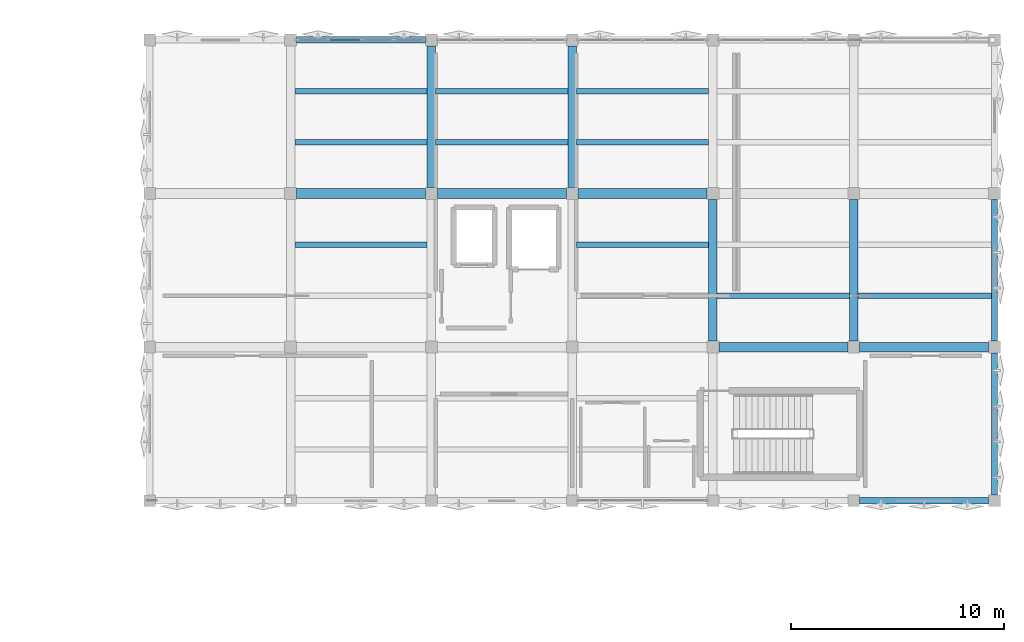
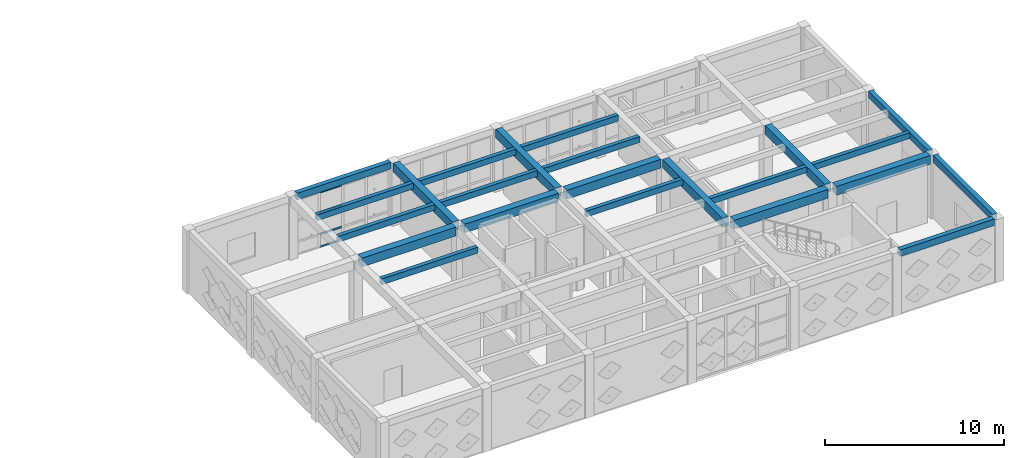
# One storey, part 15 of 36: 23 beams, 4 members, 1 element without a shape of its own.
"""IFC4 building model written with IfcOpenShell, lengths in metres."""

from ifc_helpers import new_model, si_unit, direction, frame, origin, origin_2d, place, context, subcontext, project, spatial, rectangle, hollow_rectangle, extrude, material, layer, layer_set, material_profile, profile_set, type_object, element, aggregate, save


model = new_model("IFC4")

# Units and contexts
model_context = context("Model", 3, precision=1e-05, world=origin(), true_north=direction((0.0, 1.0)))
body_context = subcontext(model_context, "Body", "Model", "MODEL_VIEW")
ifc_project = project(units=[si_unit("LENGTHUNIT", "METRE"), si_unit("AREAUNIT", "SQUARE_METRE"), si_unit("VOLUMEUNIT", "CUBIC_METRE"), si_unit("PLANEANGLEUNIT", "RADIAN"), si_unit("MASSUNIT", "GRAM", prefix="KILO")], contexts=[model_context])

# Site, building, storey
site_placement = place(None, origin())
site = spatial("IfcSite", under=ifc_project, at=site_placement, CompositionType="ELEMENT")
building_placement = place(site_placement, origin())
building = spatial("IfcBuilding", under=site, at=building_placement, Name="Kharisveld Research Institute", CompositionType="ELEMENT")
storey_placement = place(building_placement, frame((0.0, 0.0, 27.60009765625)))
storey = spatial("IfcBuildingStorey", under=building, at=storey_placement, Name="L06", CompositionType="ELEMENT", Elevation=27.60009765625)

# Beams
ifc_material_1 = material(Name="Concrete C40/50", Category="concrete")
ifc_material_profile_1 = material_profile(ifc_material_1, rectangle(XDim=0.39990234375, YDim=0.60009765625, at=origin_2d()))
ifc_profile_set_1 = profile_set([ifc_material_profile_1], Name="Concrete C40/50")
beam_type_1 = type_object("IfcBeamType", Name="BM_RC_400x600", PredefinedType="BEAM", material=ifc_profile_set_1)
for number, where, z_axis, x_axis, name in (
    (1, (134.39990234375, 53.875, 4.0), (0.0, 1.0, 0.0), (-1.0, 0.0, 0.0), "BM:V2:L06:V3_2"),
    (2, (141.0, 53.875, 4.0), (0.0, 1.0, 0.0), (-1.0, 0.0, 0.0), "BM:V2:L06:V4_2"),
    (3, (147.60009765625, 46.675048828125, 4.0), (0.0, 1.0, 0.0), (-1.0, 0.0, 0.0), "BM:V2:L06:V5_1"),
    (4, (154.199951171875, 46.675048828125, 4.0), (0.0, 1.0, 0.0), (-1.0, 0.0, 0.0), "BM:V2:L06:V6_1"),
):
    element("IfcBeam", number, at=place(storey_placement, frame(where, z_axis=z_axis, x_axis=x_axis)), inside=storey, type_object=beam_type_1, Name=name, PredefinedType="BEAM", context=body_context, shape_type="SweptSolid", body=[
        extrude(rectangle(XDim=0.39990234375, YDim=0.60009765625, at=origin_2d()), origin(), (0.0, 0.0, 1.0), 6.64990234375),
    ])
ifc_material_2 = material(Name="Concrete C40/50", Category="concrete")
ifc_material_profile_2 = material_profile(ifc_material_2, rectangle(XDim=0.449951171875, YDim=0.60009765625, at=origin_2d()))
ifc_profile_set_2 = profile_set([ifc_material_profile_2], Name="Concrete C40/50")
beam_type_2 = type_object("IfcBeamType", Name="BM_RC_450x600", PredefinedType="BEAM", material=ifc_profile_set_2)
beam_1_placement = place(storey_placement, frame((147.875, 46.39990234375, 4.0), z_axis=(1.0, 0.0, 0.0), x_axis=(0.0, 1.0, 0.0)))
element("IfcBeam", 5, at=beam_1_placement, inside=storey, type_object=beam_type_2, Name="BM:V2:L06:U5_1", PredefinedType="BEAM", context=body_context, shape_type="SweptSolid", body=[
    extrude(rectangle(XDim=0.449951171875, YDim=0.60009765625, at=origin_2d()), origin(), (0.0, 0.0, 1.0), 6.050048828125),
])
beam_2_placement = place(storey_placement, frame((154.47509765625, 46.39990234375, 4.0), z_axis=(1.0, 0.0, 0.0), x_axis=(0.0, 1.0, 0.0)))
element("IfcBeam", 6, at=beam_2_placement, inside=storey, type_object=beam_type_2, Name="BM:V2:L06:U6_1", PredefinedType="BEAM", context=body_context, shape_type="SweptSolid", body=[
    extrude(rectangle(XDim=0.449951171875, YDim=0.60009765625, at=origin_2d()), origin(), (0.0, 0.0, 1.0), 6.0498046875),
])
for number, where, z_axis, x_axis, name in (
    (7, (128.074951171875, 53.60009765625, 4.0), (1.0, 0.0, 0.0), (0.0, 1.0, 0.0), "BM:V2:L06:U2_2"),
    (8, (134.675048828125, 53.60009765625, 4.0), (1.0, 0.0, 0.0), (0.0, 1.0, 0.0), "BM:V2:L06:U3_2"),
    (9, (141.27490234375, 53.60009765625, 4.0), (1.0, 0.0, 0.0), (0.0, 1.0, 0.0), "BM:V2:L06:U4_2"),
):
    element("IfcBeam", number, at=place(storey_placement, frame(where, z_axis=z_axis, x_axis=x_axis)), inside=storey, type_object=beam_type_2, Name=name, PredefinedType="BEAM", context=body_context, shape_type="SweptSolid", body=[
        extrude(rectangle(XDim=0.449951171875, YDim=0.60009765625, at=origin_2d()), origin(), (0.0, 0.0, 1.0), 6.050048828125),
    ])

# Curtain wall, members
ifc_material_3 = material(Name="Thermally Broken Aluminium Curtain Wall", Category="aluminium")
ifc_layer = layer(ifc_material_3, 0.159912109375)
ifc_layer_set = layer_set([ifc_layer], Name="CW_SYS_02")
curtain_wall_type = type_object("IfcCurtainWallType", Name="CW_SYS_02", PredefinedType="NOTDEFINED", material=ifc_layer_set)
curtain_wall_placement = place(storey_placement, origin())
curtain_wall = element("IfcCurtainWall", 10, at=curtain_wall_placement, inside=storey, type_object=curtain_wall_type, Name="CW:V2:L06:N2", PredefinedType="NOTDEFINED")
ifc_material_4 = material(Name="Anodised Aluminium AW-6063-T6", Category="aluminium")
ifc_material_profile_3 = material_profile(ifc_material_4, hollow_rectangle(XDim=0.06005859375, YDim=0.1201171875, WallThickness=0.00390625, at=origin_2d()))
ifc_profile_set_3 = profile_set([ifc_material_profile_3], Name="Anodised Aluminium AW-6063-T6")
member_type = type_object("IfcMemberType", Name="CW_TRN_120", PredefinedType="USERDEFINED", material=ifc_profile_set_3)
member_1_placement = place(storey_placement, frame((129.617431640625, 60.800048828125, 0.02978515625), z_axis=(1.0, 0.0, 0.0), x_axis=(0.0, 1.0, 0.0)))
member_1 = element("IfcMember", 11, at=member_1_placement, type_object=member_type, Name="CW-02 transom 2.1", ObjectType="TRANSOM", PredefinedType="USERDEFINED", context=body_context, shape_type="SweptSolid", body=[
    extrude(hollow_rectangle(XDim=0.06005859375, YDim=0.1201171875, WallThickness=0.00390625, at=origin_2d()), origin(), (0.0, 0.0, 1.0), 1.449951171875),
])
member_2_placement = place(storey_placement, frame((129.617431640625, 60.800048828125, 0.89990234375), z_axis=(1.0, 0.0, 0.0), x_axis=(0.0, 1.0, 0.0)))
member_2 = element("IfcMember", 12, at=member_2_placement, type_object=member_type, Name="CW-02 transom 2.2", ObjectType="TRANSOM", PredefinedType="USERDEFINED", context=body_context, shape_type="SweptSolid", body=[
    extrude(hollow_rectangle(XDim=0.06005859375, YDim=0.1201171875, WallThickness=0.00390625, at=origin_2d()), origin(), (0.0, 0.0, 1.0), 1.449951171875),
])
member_3_placement = place(storey_placement, frame((129.617431640625, 60.800048828125, 2.349853515625), z_axis=(1.0, 0.0, 0.0), x_axis=(0.0, 1.0, 0.0)))
member_3 = element("IfcMember", 13, at=member_3_placement, type_object=member_type, Name="CW-02 transom 2.3", ObjectType="TRANSOM", PredefinedType="USERDEFINED", context=body_context, shape_type="SweptSolid", body=[
    extrude(hollow_rectangle(XDim=0.06005859375, YDim=0.1201171875, WallThickness=0.00390625, at=origin_2d()), origin(), (0.0, 0.0, 1.0), 1.449951171875),
])
member_4_placement = place(storey_placement, frame((129.617431640625, 60.800048828125, 3.75), z_axis=(1.0, 0.0, 0.0), x_axis=(0.0, 1.0, 0.0)))
member_4 = element("IfcMember", 14, at=member_4_placement, type_object=member_type, Name="CW-02 transom 2.4", ObjectType="TRANSOM", PredefinedType="USERDEFINED", context=body_context, shape_type="SweptSolid", body=[
    extrude(hollow_rectangle(XDim=0.06005859375, YDim=0.1201171875, WallThickness=0.00390625, at=origin_2d()), origin(), (0.0, 0.0, 1.0), 1.449951171875),
])
aggregate(curtain_wall, [member_1, member_2, member_3, member_4])

# Beams
ifc_material_5 = material(Name="Concrete C40/50", Category="concrete")
ifc_material_profile_4 = material_profile(ifc_material_5, rectangle(XDim=0.300048828125, YDim=0.449951171875, at=origin_2d()))
ifc_profile_set_4 = profile_set([ifc_material_profile_4], Name="Concrete C40/50")
beam_type_3 = type_object("IfcBeamType", Name="SP_RC_300x450", PredefinedType="SPANDREL", material=ifc_profile_set_4)
beam_3_placement = place(storey_placement, frame((154.47509765625, 39.199951171875, 4.074951171875), z_axis=(1.0, 0.0, 0.0), x_axis=(0.0, 1.0, 0.0)))
element("IfcBeam", 15, at=beam_3_placement, inside=storey, type_object=beam_type_3, Name="BM:V2:L06:U6_0", PredefinedType="SPANDREL", context=body_context, shape_type="SweptSolid", body=[
    extrude(rectangle(XDim=0.300048828125, YDim=0.449951171875, at=origin_2d()), origin(), (0.0, 0.0, 1.0), 6.0498046875),
])
beam_4_placement = place(storey_placement, frame((128.074951171875, 60.800048828125, 4.074951171875), z_axis=(1.0, 0.0, 0.0), x_axis=(0.0, 1.0, 0.0)))
element("IfcBeam", 16, at=beam_4_placement, inside=storey, type_object=beam_type_3, Name="BM:V2:L06:U2_3", PredefinedType="SPANDREL", context=body_context, shape_type="SweptSolid", body=[
    extrude(rectangle(XDim=0.300048828125, YDim=0.449951171875, at=origin_2d()), origin(), (0.0, 0.0, 1.0), 6.050048828125),
])
for number, where, z_axis, x_axis, name in (
    (17, (160.800048828125, 39.47509765625, 4.074951171875), (0.0, 1.0, 0.0), (-1.0, 0.0, 0.0), "BM:V2:L06:V7_0"),
    (18, (160.800048828125, 46.675048828125, 4.074951171875), (0.0, 1.0, 0.0), (-1.0, 0.0, 0.0), "BM:V2:L06:V7_1"),
):
    element("IfcBeam", number, at=place(storey_placement, frame(where, z_axis=z_axis, x_axis=x_axis)), inside=storey, type_object=beam_type_3, Name=name, PredefinedType="SPANDREL", context=body_context, shape_type="SweptSolid", body=[
        extrude(rectangle(XDim=0.300048828125, YDim=0.449951171875, at=origin_2d()), origin(), (0.0, 0.0, 1.0), 6.64990234375),
    ])
ifc_material_6 = material(Name="Concrete C40/50", Category="concrete")
ifc_material_profile_5 = material_profile(ifc_material_6, rectangle(XDim=0.25, YDim=0.39990234375, at=origin_2d()))
ifc_profile_set_5 = profile_set([ifc_material_profile_5], Name="Concrete C40/50")
beam_type_4 = type_object("IfcBeamType", Name="WB_RC_250x400", PredefinedType="JOIST", material=ifc_profile_set_5)
for number, where, z_axis, x_axis, name in (
    (19, (128.0, 51.199951171875, 4.099853515625), (1.0, 0.0, 0.0), (0.0, 1.0, 0.0), "BM:V2:L06:J_2_1_R2"),
    (20, (128.0, 56.0, 4.099853515625), (1.0, 0.0, 0.0), (0.0, 1.0, 0.0), "BM:V2:L06:J_2_2_R1"),
    (21, (128.0, 58.39990234375, 4.099853515625), (1.0, 0.0, 0.0), (0.0, 1.0, 0.0), "BM:V2:L06:J_2_2_R2"),
    (22, (134.60009765625, 56.0, 4.099853515625), (1.0, 0.0, 0.0), (0.0, 1.0, 0.0), "BM:V2:L06:J_3_2_R1"),
    (23, (134.60009765625, 58.39990234375, 4.099853515625), (1.0, 0.0, 0.0), (0.0, 1.0, 0.0), "BM:V2:L06:J_3_2_R2"),
    (24, (141.199951171875, 51.199951171875, 4.099853515625), (1.0, 0.0, 0.0), (0.0, 1.0, 0.0), "BM:V2:L06:J_4_1_R2"),
    (25, (141.199951171875, 56.0, 4.099853515625), (1.0, 0.0, 0.0), (0.0, 1.0, 0.0), "BM:V2:L06:J_4_2_R1"),
    (26, (141.199951171875, 58.39990234375, 4.099853515625), (1.0, 0.0, 0.0), (0.0, 1.0, 0.0), "BM:V2:L06:J_4_2_R2"),
    (27, (147.800048828125, 48.800048828125, 4.099853515625), (1.0, 0.0, 0.0), (0.0, 1.0, 0.0), "BM:V2:L06:J_5_1_R1"),
):
    element("IfcBeam", number, at=place(storey_placement, frame(where, z_axis=z_axis, x_axis=x_axis)), inside=storey, type_object=beam_type_4, Name=name, PredefinedType="JOIST", context=body_context, shape_type="SweptSolid", body=[
        extrude(rectangle(XDim=0.25, YDim=0.39990234375, at=origin_2d()), origin(), (0.0, 0.0, 1.0), 6.199951171875),
    ])
beam_5_placement = place(storey_placement, frame((154.39990234375, 48.800048828125, 4.099853515625), z_axis=(1.0, 0.0, 0.0), x_axis=(0.0, 1.0, 0.0)))
element("IfcBeam", 28, at=beam_5_placement, inside=storey, type_object=beam_type_4, Name="BM:V2:L06:J_6_1_R1", PredefinedType="JOIST", context=body_context, shape_type="SweptSolid", body=[
    extrude(rectangle(XDim=0.25, YDim=0.39990234375, at=origin_2d()), origin(), (0.0, 0.0, 1.0), 6.25),
])

save(model, "model.ifc")
